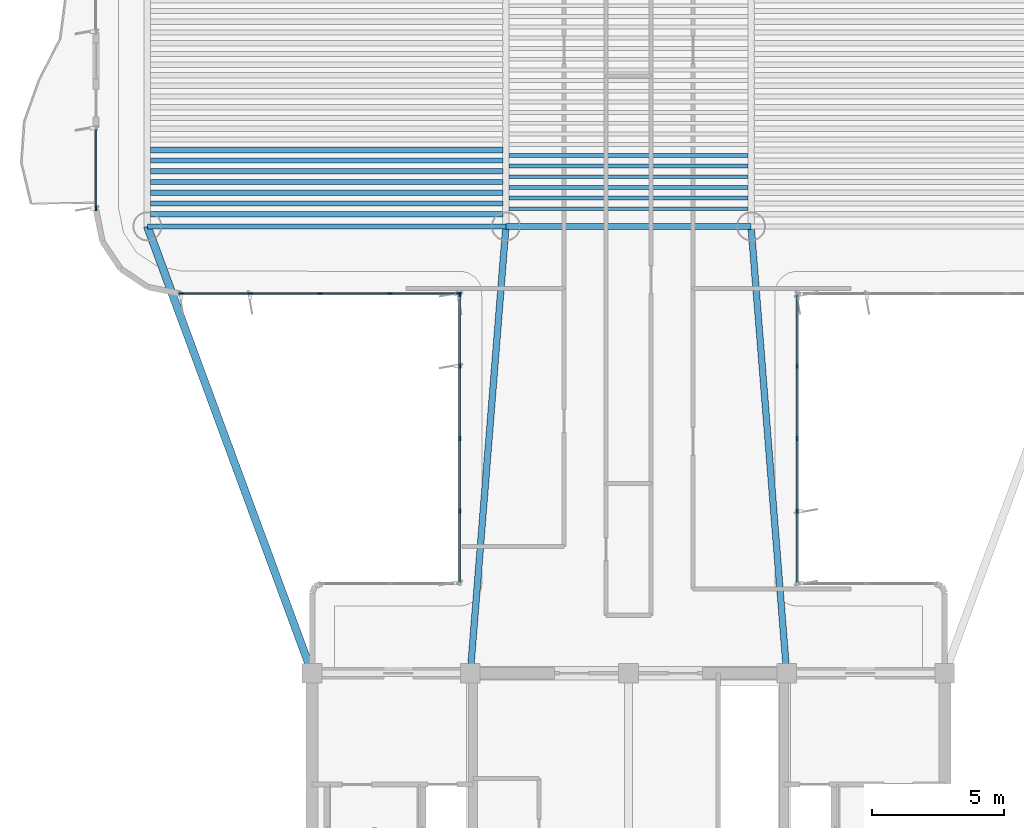
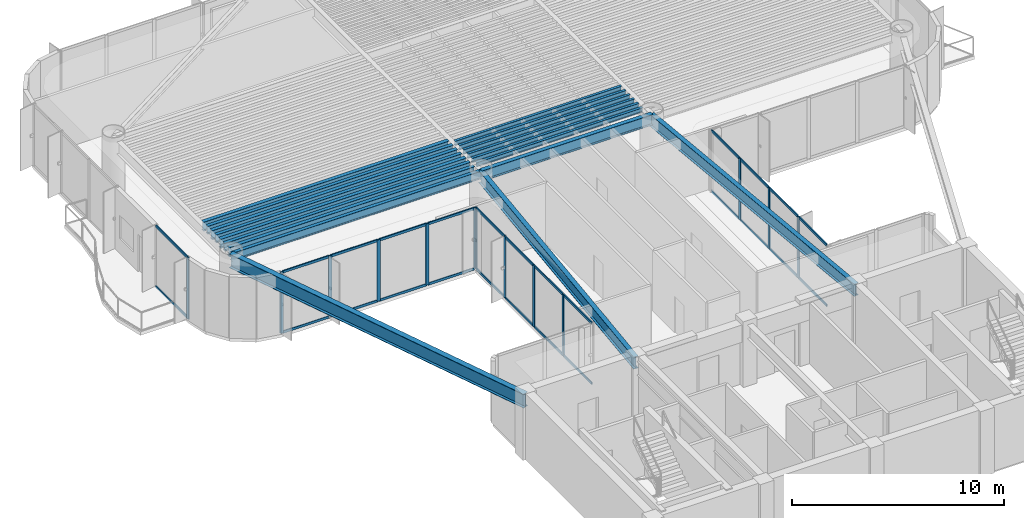
# One storey, part 3 of 13: 39 members, 18 beams, 4 elements without a shape of their own.
"""IFC4 building model written with IfcOpenShell, lengths in metres."""

import ifcopenshell
import ifcopenshell.guid

model = None  # the IFC model being written
_history = None  # IfcOwnerHistory: only IFC2X3 demands one
_inside = {}  # id of a spatial element -> (the spatial element, [elements in it])
_under = {}  # id of a project, library or spatial element -> (it, [spatial elements below it])
_declared = {}  # id of a project -> (the project, [libraries it declares])
_typed = {}  # id of a type object -> (the type object, [elements of that type])
_made_of = {}  # id of a material, layer set ... -> (it, [elements and type objects made of it])


def new_model(schema):
    """Start an empty IFC model of exactly this schema.

    Asked for "IFC4X3", IfcOpenShell would pick the latest addendum, in which some entities
    have other attributes; the version numbers below select the first issue.
    IFC2X3 requires an IfcOwnerHistory on every rooted entity: one is made here for all.
    """
    global model, _history
    if schema == "IFC4X3":
        model = ifcopenshell.file(schema_version=(4, 3, 0, 0))
    else:
        model = ifcopenshell.file(schema=schema)
    _inside.clear()
    _under.clear()
    _declared.clear()
    _typed.clear()
    _made_of.clear()
    _history = None
    if model.schema == "IFC2X3":
        org = make("IfcOrganization", Name="unknown")
        user = make(
            "IfcPersonAndOrganization",
            ThePerson=make("IfcPerson", FamilyName="unknown"),
            TheOrganization=org,
        )
        app = make(
            "IfcApplication",
            ApplicationDeveloper=org,
            Version="unknown",
            ApplicationFullName="unknown",
            ApplicationIdentifier="unknown",
        )
        _history = make(
            "IfcOwnerHistory",
            OwningUser=user,
            OwningApplication=app,
            ChangeAction="ADDED",
            CreationDate=0,
        )
    return model


def make(cls, **values):
    """One entity of the class cls with the attributes given. An attribute that is None is left unset."""
    return model.create_entity(
        cls, **{name: value for name, value in values.items() if value is not None}
    )


def rooted(cls, **values):
    """An entity with a GlobalId (a new one), such as an element, a storey or a relation."""
    return make(cls, GlobalId=ifcopenshell.guid.new(), OwnerHistory=_history, **values)


def si_unit(unit_type, name, prefix=None):
    """IfcSIUnit, for example si_unit("LENGTHUNIT", "METRE", prefix="MILLI")."""
    return make("IfcSIUnit", UnitType=unit_type, Prefix=prefix, Name=name)


def assignment(units):
    """IfcUnitAssignment: the units of a project."""
    return None if units is None else make("IfcUnitAssignment", Units=units)


def point(xyz):
    """IfcCartesianPoint."""
    return None if xyz is None else make("IfcCartesianPoint", Coordinates=xyz)


def direction(xyz):
    """IfcDirection."""
    return None if xyz is None else make("IfcDirection", DirectionRatios=xyz)


def frame(location, z_axis=None, x_axis=None):
    """IfcAxis2Placement3D, a coordinate frame: its origin and axes. An axis left out is left unset."""
    return make(
        "IfcAxis2Placement3D",
        Location=point(location),
        Axis=direction(z_axis),
        RefDirection=direction(x_axis),
    )


def frame_2d(location, x_axis=None):
    """IfcAxis2Placement2D, a coordinate frame in the plane: its origin and x axis."""
    return make(
        "IfcAxis2Placement2D", Location=point(location), RefDirection=direction(x_axis)
    )


def origin():
    """The frame at (0, 0, 0) with its axes left unset."""
    return frame((0.0, 0.0, 0.0))


def origin_2d():
    """The frame at (0, 0) in the plane with its x axis left unset."""
    return frame_2d((0.0, 0.0))


def place(relative_to, where):
    """IfcLocalPlacement: puts the frame where relative to a parent placement (None: the world)."""
    return make(
        "IfcLocalPlacement", PlacementRelTo=relative_to, RelativePlacement=where
    )


def context(
    kind, dimensions, precision=None, world=None, true_north=None, identifier=None
):
    """IfcGeometricRepresentationContext, for example the 3D "Model" context."""
    return make(
        "IfcGeometricRepresentationContext",
        ContextIdentifier=identifier,
        ContextType=kind,
        CoordinateSpaceDimension=dimensions,
        Precision=precision,
        WorldCoordinateSystem=world,
        TrueNorth=true_north,
    )


def subcontext(parent, identifier, kind, view, scale=None):
    """IfcGeometricRepresentationSubContext, for example "Body" below "Model"."""
    return make(
        "IfcGeometricRepresentationSubContext",
        ContextIdentifier=identifier,
        ContextType=kind,
        ParentContext=parent,
        TargetScale=scale,
        TargetView=view,
    )


def project(units=None, contexts=None):
    """IfcProject with its units and contexts."""
    return rooted(
        "IfcProject",
        Name="project",
        RepresentationContexts=contexts,
        UnitsInContext=assignment(units),
    )


def spatial(cls, under=None, at=None, **own):
    """A site, building, storey or space (cls), placed at a placement, below another one or the project."""
    s = rooted(cls, ObjectPlacement=at, **own)
    if under is not None:
        _under.setdefault(under.id(), (under, []))[1].append(s)
    return s


def profile(cls, at=None, kind="AREA", **sizes):
    """A parametric profile (cls). Its sizes go by their IFC names, for example OverallWidth=200.0."""
    return make(cls, ProfileType=kind, Position=at, **sizes)


def rectangle(**sizes):
    """IfcRectangleProfileDef."""
    return profile("IfcRectangleProfileDef", **sizes)


def i_section(**sizes):
    """IfcIShapeProfileDef."""
    return profile("IfcIShapeProfileDef", **sizes)


def extrude(swept, where, along, depth):
    """IfcExtrudedAreaSolid: the profile swept, set in the frame where, extruded along a direction by depth."""
    return make(
        "IfcExtrudedAreaSolid",
        SweptArea=swept,
        Position=where,
        ExtrudedDirection=direction(along),
        Depth=depth,
    )


def shape(context_of_items, identifier, shape_type, items):
    """IfcShapeRepresentation: the items that make up one representation, for example the "Body"."""
    return make(
        "IfcShapeRepresentation",
        ContextOfItems=context_of_items,
        RepresentationIdentifier=identifier,
        RepresentationType=shape_type,
        Items=items,
    )


def source(mapping_origin, context_of_items, identifier, shape_type, items):
    """IfcRepresentationMap: a shape defined once, which mapped items show again and again."""
    return make(
        "IfcRepresentationMap",
        MappingOrigin=mapping_origin,
        MappedRepresentation=shape(context_of_items, identifier, shape_type, items),
    )


def transform(
    local_origin,
    x_axis=None,
    y_axis=None,
    z_axis=None,
    scale=None,
    scale2=None,
    scale3=None,
    uniform=True,
):
    """IfcCartesianTransformationOperator3D, or its non-uniform kind. x_axis, y_axis, z_axis: its Axis1, 2, 3."""
    if uniform:
        return make(
            "IfcCartesianTransformationOperator3D",
            Axis1=direction(x_axis),
            Axis2=direction(y_axis),
            LocalOrigin=point(local_origin),
            Scale=scale,
            Axis3=direction(z_axis),
        )
    return make(
        "IfcCartesianTransformationOperator3DnonUniform",
        Axis1=direction(x_axis),
        Axis2=direction(y_axis),
        LocalOrigin=point(local_origin),
        Scale=scale,
        Axis3=direction(z_axis),
        Scale2=scale2,
        Scale3=scale3,
    )


def mapped(mapping_source, mapping_target):
    """IfcMappedItem: shows the shape of a source again, moved by a transform."""
    return make(
        "IfcMappedItem", MappingSource=mapping_source, MappingTarget=mapping_target
    )


def material(Name=None, Category=None):
    """IfcMaterial."""
    return make("IfcMaterial", Name=Name, Category=Category)


def layer(
    of_material, thickness, ventilated=None, Name=None, Category=None, Priority=None
):
    """IfcMaterialLayer: one layer of a wall or slab, of a material (None: an air gap)."""
    return make(
        "IfcMaterialLayer",
        Material=of_material,
        LayerThickness=thickness,
        IsVentilated=ventilated,
        Name=Name,
        Category=Category,
        Priority=Priority,
    )


def layer_set(layers, Name=None):
    """IfcMaterialLayerSet."""
    return make("IfcMaterialLayerSet", MaterialLayers=layers, LayerSetName=Name)


def material_profile(
    of_material, cross_section, Name=None, Category=None, Priority=None
):
    """IfcMaterialProfile: a cross section and its material."""
    return make(
        "IfcMaterialProfile",
        Name=Name,
        Material=of_material,
        Profile=cross_section,
        Priority=Priority,
        Category=Category,
    )


def profile_set(profiles, Name=None, composite=None):
    """IfcMaterialProfileSet."""
    return make(
        "IfcMaterialProfileSet",
        Name=Name,
        MaterialProfiles=profiles,
        CompositeProfile=composite,
    )


def made_of(thing, what):
    """Note that an element or type object is made of a material, layer set ...; save() writes the relation."""
    if what is not None:
        _made_of.setdefault(what.id(), (what, []))[1].append(thing)
    return thing


def type_object(cls, material=None, **own):
    """A type object (cls), such as IfcWallType, which elements share."""
    return made_of(rooted(cls, **own), material)


def element(
    cls,
    number,
    at=None,
    inside=None,
    cuts=None,
    type_object=None,
    material=None,
    context=None,
    identifier="Body",
    shape_type=None,
    held_by="IfcProductDefinitionShape",
    body=None,
    shapes=None,
    **own,
):
    """One element of the class cls, such as IfcWall. Its Tag is "e" and its number.

    at: its placement. inside: the storey or other place that contains it. cuts: it is an
    opening in that element (IfcRelVoidsElement). A single representation is given by context,
    identifier, shape_type and body (its items); several are given by shapes. held_by: the class
    of the entity that holds the representations. save() writes the other relations.
    """
    e = rooted(cls, Tag="e%d" % number, ObjectPlacement=at, **own)
    if body is not None:
        shapes = [shape(context, identifier, shape_type, body)]
    if shapes is not None:
        e.Representation = make(held_by, Representations=shapes)
    if inside is not None:
        _inside.setdefault(inside.id(), (inside, []))[1].append(e)
    if cuts is not None:
        rooted(
            "IfcRelVoidsElement", RelatingBuildingElement=cuts, RelatedOpeningElement=e
        )
    if type_object is not None:
        _typed.setdefault(type_object.id(), (type_object, []))[1].append(e)
    return made_of(e, material)


def aggregate(whole, parts):
    """IfcRelAggregates: a whole, such as a stair, and the parts it consists of."""
    return rooted("IfcRelAggregates", RelatingObject=whole, RelatedObjects=parts)


def save(model, path):
    """Write the relations noted so far, then the file.

    IfcRelAggregates (storeys below a building ...), IfcRelContainedInSpatialStructure (elements
    in a storey), IfcRelDefinesByType, IfcRelAssociatesMaterial and IfcRelDeclares: one each for
    every whole, place, type object, material and project.
    """
    for whole, parts in _under.values():
        aggregate(whole, parts)
    for where, things in _inside.values():
        rooted(
            "IfcRelContainedInSpatialStructure",
            RelatedElements=things,
            RelatingStructure=where,
        )
    for kind, things in _typed.values():
        rooted("IfcRelDefinesByType", RelatedObjects=things, RelatingType=kind)
    for what, things in _made_of.values():
        rooted("IfcRelAssociatesMaterial", RelatedObjects=things, RelatingMaterial=what)
    for by, libraries in _declared.values():
        rooted("IfcRelDeclares", RelatingContext=by, RelatedDefinitions=libraries)
    model.write(path)


model = new_model("IFC4")

# Units and contexts
model_context = context("Model", 3, precision=1e-05, world=origin(), true_north=direction((0.0, 1.0)))
body_context = subcontext(model_context, "Body", "Model", "MODEL_VIEW")
ifc_project = project(units=[si_unit("LENGTHUNIT", "METRE"), si_unit("AREAUNIT", "SQUARE_METRE"), si_unit("VOLUMEUNIT", "CUBIC_METRE"), si_unit("PLANEANGLEUNIT", "RADIAN"), si_unit("MASSUNIT", "GRAM", prefix="KILO")], contexts=[model_context])

# Site, building, storey
site_placement = place(None, origin())
site = spatial("IfcSite", under=ifc_project, at=site_placement, CompositionType="ELEMENT")
building_placement = place(site_placement, origin())
building = spatial("IfcBuilding", under=site, at=building_placement, Name="Brelvock Crest Care Tower", CompositionType="ELEMENT")
storey_placement = place(building_placement, frame((0.0, 0.0, 186.659912109375)))
storey = spatial("IfcBuildingStorey", under=building, at=storey_placement, Name="L47", CompositionType="ELEMENT", Elevation=186.659912109375)

# Beams
ifc_material_1 = material(Name="Steel Grade 350", Category="steel")
ifc_material_profile_1 = material_profile(ifc_material_1, i_section(OverallWidth=0.22900390625, OverallDepth=0.612060546875, WebThickness=0.011962890625, FlangeThickness=0.01953125, FilletRadius=0.013916015625, at=origin_2d()), Name="610UB125")
ifc_profile_set_1 = profile_set([ifc_material_profile_1], Name="Steel Grade 350")
beam_type_1 = type_object("IfcBeamType", Name="BM-G1", PredefinedType="BEAM", material=ifc_profile_set_1)
shared_shape_1 = source(origin(), body_context, "Body", "SweptSolid", [
    extrude(i_section(OverallWidth=0.22900390625, OverallDepth=0.612060546875, WebThickness=0.011962890625, FlangeThickness=0.01953125, FilletRadius=0.013916015625, at=origin_2d()), origin(), (0.0, 0.0, 1.0), 9.2998046875),
])
beam_1_placement = place(storey_placement, frame((31.35009765625, 34.949951171875, 3.22412109375), z_axis=(1.0, 0.0, 0.0), x_axis=(0.0, 1.0, 0.0)))
element("IfcBeam", 1, at=beam_1_placement, inside=storey, type_object=beam_type_1, Name="BM-TWR-L47-05", PredefinedType="BEAM", context=body_context, shape_type="MappedRepresentation", body=[
    mapped(shared_shape_1, transform((0.0, 0.0, 0.0), x_axis=(1.0, 0.0, 0.0), y_axis=(0.0, 1.0, 0.0), z_axis=(0.0, 0.0, 1.0), scale=1.0)),
])
ifc_material_profile_2 = material_profile(ifc_material_1, i_section(OverallWidth=0.14599609375, OverallDepth=0.256103515625, WebThickness=0.00634765625, FlangeThickness=0.010986328125, FilletRadius=0.0087890625, at=origin_2d()), Name="250UB37.3")
ifc_profile_set_2 = profile_set([ifc_material_profile_2], Name="Steel Grade 350")
beam_type_2 = type_object("IfcBeamType", Name="BM-J3", PredefinedType="JOIST", material=ifc_profile_set_2)
shared_shape_2 = source(origin(), body_context, "Body", "SweptSolid", [
    extrude(i_section(OverallWidth=0.14599609375, OverallDepth=0.256103515625, WebThickness=0.00634765625, FlangeThickness=0.010986328125, FilletRadius=0.0087890625, at=origin_2d()), origin(), (0.0, 0.0, 1.0), 9.06982421875),
])
for number, where, z_axis, x_axis, name in (
    (2, (31.465087890625, 35.618896484375, 3.402099609375), (1.0, 0.0, 0.0), (0.0, 1.0, 0.0), "BM-JH-L47-1"),
    (3, (31.465087890625, 36.02392578125, 3.402099609375), (1.0, 0.0, 0.0), (0.0, 1.0, 0.0), "BM-JH-L47-2"),
    (4, (31.465087890625, 36.42919921875, 3.402099609375), (1.0, 0.0, 0.0), (0.0, 1.0, 0.0), "BM-JH-L47-3"),
    (5, (31.465087890625, 36.834228515625, 3.402099609375), (1.0, 0.0, 0.0), (0.0, 1.0, 0.0), "BM-JH-L47-4"),
    (6, (31.465087890625, 37.239501953125, 3.402099609375), (1.0, 0.0, 0.0), (0.0, 1.0, 0.0), "BM-JH-L47-5"),
    (7, (31.465087890625, 37.64453125, 3.402099609375), (1.0, 0.0, 0.0), (0.0, 1.0, 0.0), "BM-JH-L47-6"),
):
    element("IfcBeam", number, at=place(storey_placement, frame(where, z_axis=z_axis, x_axis=x_axis)), inside=storey, type_object=beam_type_2, Name=name, PredefinedType="JOIST", context=body_context, shape_type="MappedRepresentation", body=[
        mapped(shared_shape_2, transform((0.0, 0.0, 0.0), x_axis=(1.0, 0.0, 0.0), y_axis=(0.0, 1.0, 0.0), z_axis=(0.0, 0.0, 1.0), scale=1.0)),
    ])
ifc_material_profile_3 = material_profile(ifc_material_1, i_section(OverallWidth=0.208984375, OverallDepth=0.532958984375, WebThickness=0.01025390625, FlangeThickness=0.015625, FilletRadius=0.013916015625, at=origin_2d()), Name="530UB92.4")
ifc_profile_set_3 = profile_set([ifc_material_profile_3], Name="Steel Grade 350")
beam_type_3 = type_object("IfcBeamType", Name="BM-G2", PredefinedType="BEAM", material=ifc_profile_set_3)
shared_shape_3 = source(origin(), body_context, "Body", "SweptSolid", [
    extrude(i_section(OverallWidth=0.208984375, OverallDepth=0.532958984375, WebThickness=0.01025390625, FlangeThickness=0.015625, FilletRadius=0.013916015625, at=origin_2d()), origin(), (0.0, 0.0, 1.0), 13.3701171875),
])
for number, where, z_axis, x_axis, name in (
    (8, (17.864990234375, 35.416259765625, 3.263671875), (1.0, 0.0, 0.0), (0.0, 1.0, 0.0), "BM-JW-L47-1"),
    (9, (17.864990234375, 36.2265625, 3.263671875), (1.0, 0.0, 0.0), (0.0, 1.0, 0.0), "BM-JW-L47-3"),
    (10, (17.864990234375, 37.036865234375, 3.263671875), (1.0, 0.0, 0.0), (0.0, 1.0, 0.0), "BM-JW-L47-5"),
    (11, (17.864990234375, 37.84716796875, 3.263671875), (1.0, 0.0, 0.0), (0.0, 1.0, 0.0), "BM-JW-L47-7"),
):
    element("IfcBeam", number, at=place(storey_placement, frame(where, z_axis=z_axis, x_axis=x_axis)), inside=storey, type_object=beam_type_3, Name=name, PredefinedType="BEAM", context=body_context, shape_type="MappedRepresentation", body=[
        mapped(shared_shape_3, transform((0.0, 0.0, 0.0), x_axis=(1.0, 0.0, 0.0), y_axis=(0.0, 1.0, 0.0), z_axis=(0.0, 0.0, 1.0), scale=1.0)),
    ])
ifc_material_profile_4 = material_profile(ifc_material_1, i_section(OverallWidth=0.19091796875, OverallDepth=0.4599609375, WebThickness=0.010009765625, FlangeThickness=0.01611328125, FilletRadius=0.011474609375, at=origin_2d()), Name="460UB82.1")
ifc_profile_set_4 = profile_set([ifc_material_profile_4], Name="Steel Grade 350")
beam_type_4 = type_object("IfcBeamType", Name="BM-G3", PredefinedType="BEAM", material=ifc_profile_set_4)
shared_shape_4 = source(origin(), body_context, "Body", "SweptSolid", [
    extrude(i_section(OverallWidth=0.19091796875, OverallDepth=0.4599609375, WebThickness=0.010009765625, FlangeThickness=0.01611328125, FilletRadius=0.011474609375, at=origin_2d()), origin(), (0.0, 0.0, 1.0), 13.3701171875),
])
for number, where, z_axis, x_axis, name in (
    (12, (17.864990234375, 35.8212890625, 3.300048828125), (1.0, 0.0, 0.0), (0.0, 1.0, 0.0), "BM-JW-L47-2"),
    (13, (17.864990234375, 36.631591796875, 3.300048828125), (1.0, 0.0, 0.0), (0.0, 1.0, 0.0), "BM-JW-L47-4"),
    (14, (17.864990234375, 37.44189453125, 3.300048828125), (1.0, 0.0, 0.0), (0.0, 1.0, 0.0), "BM-JW-L47-6"),
):
    element("IfcBeam", number, at=place(storey_placement, frame(where, z_axis=z_axis, x_axis=x_axis)), inside=storey, type_object=beam_type_4, Name=name, PredefinedType="BEAM", context=body_context, shape_type="MappedRepresentation", body=[
        mapped(shared_shape_4, transform((0.0, 0.0, 0.0), x_axis=(1.0, 0.0, 0.0), y_axis=(0.0, 1.0, 0.0), z_axis=(0.0, 0.0, 1.0), scale=1.0)),
    ])
ifc_material_profile_5 = material_profile(ifc_material_1, i_section(OverallWidth=0.19091796875, OverallDepth=0.4599609375, WebThickness=0.010009765625, FlangeThickness=0.01611328125, FilletRadius=0.011474609375, at=origin_2d()), Name="460UB82.1")
ifc_profile_set_5 = profile_set([ifc_material_profile_5], Name="Steel Grade 350")
beam_type_5 = type_object("IfcBeamType", Name="BM-SP2", PredefinedType="SPANDREL", material=ifc_profile_set_5)
shared_shape_5 = source(origin(), body_context, "Body", "SweptSolid", [
    extrude(i_section(OverallWidth=0.19091796875, OverallDepth=0.4599609375, WebThickness=0.010009765625, FlangeThickness=0.01611328125, FilletRadius=0.011474609375, at=origin_2d()), origin(), (0.0, 0.0, 1.0), 13.60009765625),
])
beam_2_placement = place(storey_placement, frame((17.75, 34.949951171875, 3.300048828125), z_axis=(1.0, 0.0, 0.0), x_axis=(0.0, 1.0, 0.0)))
element("IfcBeam", 15, at=beam_2_placement, inside=storey, type_object=beam_type_5, Name="BM-TWR-L47-03", PredefinedType="SPANDREL", context=body_context, shape_type="MappedRepresentation", body=[
    mapped(shared_shape_5, transform((0.0, 0.0, 0.0), x_axis=(1.0, 0.0, 0.0), y_axis=(0.0, 1.0, 0.0), z_axis=(0.0, 0.0, 1.0), scale=1.0)),
])
ifc_material_profile_6 = material_profile(ifc_material_1, i_section(OverallWidth=0.25, OverallDepth=0.699951171875, WebThickness=0.011962890625, FlangeThickness=0.02001953125, at=origin_2d()), Name="700WB150")
ifc_profile_set_6 = profile_set([ifc_material_profile_6], Name="Steel Grade 350")
beam_type_6 = type_object("IfcBeamType", Name="BM-G4", PredefinedType="BEAM", material=ifc_profile_set_6)
shared_shape_6 = source(origin(), body_context, "Body", "SweptSolid", [
    extrude(i_section(OverallWidth=0.25, OverallDepth=0.699951171875, WebThickness=0.011962890625, FlangeThickness=0.02001953125, at=origin_2d()), origin(), (0.0, 0.0, 1.0), 17.003662109375),
])
for number, where, z_axis, x_axis, name in (
    (16, (30.0, 18.0, 3.18017578125), (0.079400530776, 0.996842793881, 0.0), (-0.996842793881, 0.079400530776, 0.0), "BM-THRW-L47"),
    (17, (42.0, 18.0, 3.18017578125), (-0.079400530776, 0.996842793881, 0.0), (-0.996842793881, -0.079400530776, 0.0), "BM-THRE-L47"),
):
    element("IfcBeam", number, at=place(storey_placement, frame(where, z_axis=z_axis, x_axis=x_axis)), inside=storey, type_object=beam_type_6, Name=name, PredefinedType="BEAM", context=body_context, shape_type="MappedRepresentation", body=[
        mapped(shared_shape_6, transform((0.0, 0.0, 0.0), x_axis=(1.0, 0.0, 0.0), y_axis=(0.0, 1.0, 0.0), z_axis=(0.0, 0.0, 1.0), scale=1.0)),
    ])
ifc_material_profile_7 = material_profile(ifc_material_1, i_section(OverallWidth=0.300048828125, OverallDepth=0.800048828125, WebThickness=0.013916015625, FlangeThickness=0.02197265625, at=origin_2d()), Name="800WB192")
ifc_profile_set_7 = profile_set([ifc_material_profile_7], Name="Steel Grade 350")
beam_type_7 = type_object("IfcBeamType", Name="BM-G5", PredefinedType="BEAM", material=ifc_profile_set_7)
shared_shape_7 = source(origin(), body_context, "Body", "SweptSolid", [
    extrude(i_section(OverallWidth=0.300048828125, OverallDepth=0.800048828125, WebThickness=0.013916015625, FlangeThickness=0.02197265625, at=origin_2d()), origin(), (0.0, 0.0, 1.0), 18.0654296875),
])
beam_3_placement = place(storey_placement, frame((24.0, 18.0, 3.130126953125), z_axis=(-0.345962741309, 0.938248251597, 0.0), x_axis=(-0.938248251597, -0.345962741309, 0.0)))
element("IfcBeam", 18, at=beam_3_placement, inside=storey, type_object=beam_type_7, Name="BM-THRO-W-L47", PredefinedType="BEAM", context=body_context, shape_type="MappedRepresentation", body=[
    mapped(shared_shape_7, transform((0.0, 0.0, 0.0), x_axis=(1.0, 0.0, 0.0), y_axis=(0.0, 1.0, 0.0), z_axis=(0.0, 0.0, 1.0), scale=1.0)),
])

# Curtain wall, members
ifc_material_2 = material(Name="Dark Glass Double Glazed Low-E", Category="glass")
ifc_layer = layer(ifc_material_2, 0.22509765625, Name="CWS-4")
ifc_layer_set = layer_set([ifc_layer], Name="Dark Glass Double Glazed Low-E")
curtain_wall_type = type_object("IfcCurtainWallType", Name="CWS-4", PredefinedType="NOTDEFINED", material=ifc_layer_set)
curtain_wall_1_placement = place(storey_placement, origin())
curtain_wall_1 = element("IfcCurtainWall", 19, at=curtain_wall_1_placement, inside=storey, type_object=curtain_wall_type, Name="L47 Curtain Wall E11", PredefinedType="NOTDEFINED")
ifc_material_3 = material(Name="Aluminium 6063-T6", Category="aluminium")
ifc_material_profile_8 = material_profile(ifc_material_3, rectangle(XDim=0.06005859375, YDim=0.179931640625, at=origin_2d()), Name="ALU60x180")
ifc_profile_set_8 = profile_set([ifc_material_profile_8], Name="Aluminium 6063-T6")
member_type_1 = type_object("IfcMemberType", Name="CWM-2", PredefinedType="MULLION", material=ifc_profile_set_8)
shared_shape_8 = source(origin(), body_context, "Body", "SweptSolid", [
    extrude(rectangle(XDim=0.06005859375, YDim=0.179931640625, at=origin_2d()), origin(), (0.0, 0.0, 1.0), 3.530029296875),
])
member_1_placement = place(storey_placement, frame((29.60009765625, 24.14990234375, 0.0), z_axis=(0.0, 0.0, 1.0), x_axis=(-1.0, 0.0, 0.0)))
member_1 = element("IfcMember", 20, at=member_1_placement, type_object=member_type_1, Name="CW-4 mullion 2", PredefinedType="MULLION", context=body_context, shape_type="MappedRepresentation", body=[
    mapped(shared_shape_8, transform((0.0, 0.0, 0.0), x_axis=(1.0, 0.0, 0.0), y_axis=(0.0, 1.0, 0.0), z_axis=(0.0, 0.0, 1.0), scale=1.0)),
])
member_2_placement = place(storey_placement, frame((29.60009765625, 26.89990234375, 0.0), z_axis=(0.0, 0.0, 1.0), x_axis=(-1.0, 0.0, 0.0)))
member_2 = element("IfcMember", 21, at=member_2_placement, type_object=member_type_1, Name="CW-4 mullion 3", PredefinedType="MULLION", context=body_context, shape_type="MappedRepresentation", body=[
    mapped(shared_shape_8, transform((0.0, 0.0, 0.0), x_axis=(1.0, 0.0, 0.0), y_axis=(0.0, 1.0, 0.0), z_axis=(0.0, 0.0, 1.0), scale=1.0)),
])
member_3_placement = place(storey_placement, frame((29.60009765625, 29.64990234375, 0.0), z_axis=(0.0, 0.0, 1.0), x_axis=(-1.0, 0.0, 0.0)))
member_3 = element("IfcMember", 22, at=member_3_placement, type_object=member_type_1, Name="CW-4 mullion 4", PredefinedType="MULLION", context=body_context, shape_type="MappedRepresentation", body=[
    mapped(shared_shape_8, transform((0.0, 0.0, 0.0), x_axis=(1.0, 0.0, 0.0), y_axis=(0.0, 1.0, 0.0), z_axis=(0.0, 0.0, 1.0), scale=1.0)),
])
member_4_placement = place(storey_placement, frame((29.60009765625, 32.3701171875, 0.0), z_axis=(0.0, 0.0, 1.0), x_axis=(-1.0, 0.0, 0.0)))
member_4 = element("IfcMember", 23, at=member_4_placement, type_object=member_type_1, Name="CW-4 mullion 5", PredefinedType="MULLION", context=body_context, shape_type="MappedRepresentation", body=[
    mapped(shared_shape_8, transform((0.0, 0.0, 0.0), x_axis=(1.0, 0.0, 0.0), y_axis=(0.0, 1.0, 0.0), z_axis=(0.0, 0.0, 1.0), scale=1.0)),
])

curtain_wall_2_placement = place(storey_placement, origin())
curtain_wall_2 = element("IfcCurtainWall", 24, at=curtain_wall_2_placement, inside=storey, type_object=curtain_wall_type, Name="L47 Curtain Wall E12", PredefinedType="NOTDEFINED")
member_5_placement = place(storey_placement, frame((29.570068359375, 32.39990234375, 0.0), z_axis=(0.0, 0.0, 1.0), x_axis=(0.0, -1.0, 0.0)))
member_5 = element("IfcMember", 25, at=member_5_placement, type_object=member_type_1, Name="CW-4 mullion 1", PredefinedType="MULLION", context=body_context, shape_type="MappedRepresentation", body=[
    mapped(shared_shape_8, transform((0.0, 0.0, 0.0), x_axis=(1.0, 0.0, 0.0), y_axis=(0.0, 1.0, 0.0), z_axis=(0.0, 0.0, 1.0), scale=1.0)),
])
member_6_placement = place(storey_placement, frame((26.949951171875, 32.39990234375, 0.0), z_axis=(0.0, 0.0, 1.0), x_axis=(0.0, -1.0, 0.0)))
member_6 = element("IfcMember", 26, at=member_6_placement, type_object=member_type_1, Name="CW-4 mullion 2", PredefinedType="MULLION", context=body_context, shape_type="MappedRepresentation", body=[
    mapped(shared_shape_8, transform((0.0, 0.0, 0.0), x_axis=(1.0, 0.0, 0.0), y_axis=(0.0, 1.0, 0.0), z_axis=(0.0, 0.0, 1.0), scale=1.0)),
])
member_7_placement = place(storey_placement, frame((24.300048828125, 32.39990234375, 0.0), z_axis=(0.0, 0.0, 1.0), x_axis=(0.0, -1.0, 0.0)))
member_7 = element("IfcMember", 27, at=member_7_placement, type_object=member_type_1, Name="CW-4 mullion 3", PredefinedType="MULLION", context=body_context, shape_type="MappedRepresentation", body=[
    mapped(shared_shape_8, transform((0.0, 0.0, 0.0), x_axis=(1.0, 0.0, 0.0), y_axis=(0.0, 1.0, 0.0), z_axis=(0.0, 0.0, 1.0), scale=1.0)),
])
member_8_placement = place(storey_placement, frame((21.64990234375, 32.39990234375, 0.0), z_axis=(0.0, 0.0, 1.0), x_axis=(0.0, -1.0, 0.0)))
member_8 = element("IfcMember", 28, at=member_8_placement, type_object=member_type_1, Name="CW-4 mullion 4", PredefinedType="MULLION", context=body_context, shape_type="MappedRepresentation", body=[
    mapped(shared_shape_8, transform((0.0, 0.0, 0.0), x_axis=(1.0, 0.0, 0.0), y_axis=(0.0, 1.0, 0.0), z_axis=(0.0, 0.0, 1.0), scale=1.0)),
])
member_9_placement = place(storey_placement, frame((19.030029296875, 32.39990234375, 0.0), z_axis=(0.0, 0.0, 1.0), x_axis=(0.0, -1.0, 0.0)))
member_9 = element("IfcMember", 29, at=member_9_placement, type_object=member_type_1, Name="CW-4 mullion 5", PredefinedType="MULLION", context=body_context, shape_type="MappedRepresentation", body=[
    mapped(shared_shape_8, transform((0.0, 0.0, 0.0), x_axis=(1.0, 0.0, 0.0), y_axis=(0.0, 1.0, 0.0), z_axis=(0.0, 0.0, 1.0), scale=1.0)),
])

# Curtain wall, member
curtain_wall_3_placement = place(storey_placement, origin())
curtain_wall_3 = element("IfcCurtainWall", 30, at=curtain_wall_3_placement, inside=storey, type_object=curtain_wall_type, Name="L47 Curtain Wall E17A", PredefinedType="NOTDEFINED")
member_10_placement = place(storey_placement, frame((15.800048828125, 35.6298828125, 0.0), z_axis=(0.0, 0.0, 1.0), x_axis=(-1.0, 0.0, 0.0)))
member_10 = element("IfcMember", 31, at=member_10_placement, type_object=member_type_1, Name="CW-4 mullion 1", PredefinedType="MULLION", context=body_context, shape_type="MappedRepresentation", body=[
    mapped(shared_shape_8, transform((0.0, 0.0, 0.0), x_axis=(1.0, 0.0, 0.0), y_axis=(0.0, 1.0, 0.0), z_axis=(0.0, 0.0, 1.0), scale=1.0)),
])

# Curtain wall, members
curtain_wall_4_placement = place(storey_placement, origin())
curtain_wall_4 = element("IfcCurtainWall", 32, at=curtain_wall_4_placement, inside=storey, type_object=curtain_wall_type, Name="L47 Curtain Wall E45", PredefinedType="NOTDEFINED")
member_11_placement = place(storey_placement, frame((42.39990234375, 29.64990234375, 0.0), z_axis=(0.0, 0.0, 1.0), x_axis=(1.0, 0.0, 0.0)))
member_11 = element("IfcMember", 33, at=member_11_placement, type_object=member_type_1, Name="CW-4 mullion 2", PredefinedType="MULLION", context=body_context, shape_type="MappedRepresentation", body=[
    mapped(shared_shape_8, transform((0.0, 0.0, 0.0), x_axis=(1.0, 0.0, 0.0), y_axis=(0.0, 1.0, 0.0), z_axis=(0.0, 0.0, 1.0), scale=1.0)),
])
member_12_placement = place(storey_placement, frame((42.39990234375, 26.89990234375, 0.0), z_axis=(0.0, 0.0, 1.0), x_axis=(1.0, 0.0, 0.0)))
member_12 = element("IfcMember", 34, at=member_12_placement, type_object=member_type_1, Name="CW-4 mullion 3", PredefinedType="MULLION", context=body_context, shape_type="MappedRepresentation", body=[
    mapped(shared_shape_8, transform((0.0, 0.0, 0.0), x_axis=(1.0, 0.0, 0.0), y_axis=(0.0, 1.0, 0.0), z_axis=(0.0, 0.0, 1.0), scale=1.0)),
])
member_13_placement = place(storey_placement, frame((42.39990234375, 24.14990234375, 0.0), z_axis=(0.0, 0.0, 1.0), x_axis=(1.0, 0.0, 0.0)))
member_13 = element("IfcMember", 35, at=member_13_placement, type_object=member_type_1, Name="CW-4 mullion 4", PredefinedType="MULLION", context=body_context, shape_type="MappedRepresentation", body=[
    mapped(shared_shape_8, transform((0.0, 0.0, 0.0), x_axis=(1.0, 0.0, 0.0), y_axis=(0.0, 1.0, 0.0), z_axis=(0.0, 0.0, 1.0), scale=1.0)),
])

# Member
ifc_material_profile_9 = material_profile(ifc_material_3, rectangle(XDim=0.06005859375, YDim=0.139892578125, at=origin_2d()), Name="ALU60x140")
ifc_profile_set_9 = profile_set([ifc_material_profile_9], Name="Aluminium 6063-T6")
member_type_2 = type_object("IfcMemberType", Name="CWT-2", PredefinedType="USERDEFINED", material=ifc_profile_set_9)
shared_shape_9 = source(origin(), body_context, "Body", "SweptSolid", [
    extrude(rectangle(XDim=0.06005859375, YDim=0.139892578125, at=origin_2d()), origin(), (0.0, 0.0, 1.0), 2.66015625),
])
member_14_placement = place(storey_placement, frame((29.60009765625, 21.4599609375, 0.030029296875), z_axis=(0.0, 1.0, 0.0), x_axis=(-1.0, 0.0, 0.0)))
member_14 = element("IfcMember", 36, at=member_14_placement, type_object=member_type_2, Name="CW-4 transom 1.1", ObjectType="TRANSOM", PredefinedType="USERDEFINED", context=body_context, shape_type="MappedRepresentation", body=[
    mapped(shared_shape_9, transform((0.0, 0.0, 0.0), x_axis=(1.0, 0.0, 0.0), y_axis=(0.0, 1.0, 0.0), z_axis=(0.0, 0.0, 1.0), scale=1.0)),
])

member_15_placement = place(storey_placement, frame((29.60009765625, 21.4599609375, 3.5), z_axis=(0.0, 1.0, 0.0), x_axis=(-1.0, 0.0, 0.0)))
member_15 = element("IfcMember", 37, at=member_15_placement, type_object=member_type_2, Name="CW-4 transom 1.2", ObjectType="TRANSOM", PredefinedType="USERDEFINED", context=body_context, shape_type="MappedRepresentation", body=[
    mapped(shared_shape_9, transform((0.0, 0.0, 0.0), x_axis=(1.0, 0.0, 0.0), y_axis=(0.0, 1.0, 0.0), z_axis=(0.0, 0.0, 1.0), scale=1.0)),
])

member_16_placement = place(storey_placement, frame((29.60009765625, 29.679931640625, 0.030029296875), z_axis=(0.0, 1.0, 0.0), x_axis=(-1.0, 0.0, 0.0)))
member_16 = element("IfcMember", 38, at=member_16_placement, type_object=member_type_2, Name="CW-4 transom 4.1", ObjectType="TRANSOM", PredefinedType="USERDEFINED", context=body_context, shape_type="MappedRepresentation", body=[
    mapped(shared_shape_9, transform((0.0, 0.0, 0.0), x_axis=(1.0, 0.0, 0.0), y_axis=(0.0, 1.0, 0.0), z_axis=(0.0, 0.0, 1.0), scale=1.0)),
])

member_17_placement = place(storey_placement, frame((29.60009765625, 29.679931640625, 3.5), z_axis=(0.0, 1.0, 0.0), x_axis=(-1.0, 0.0, 0.0)))
member_17 = element("IfcMember", 39, at=member_17_placement, type_object=member_type_2, Name="CW-4 transom 4.2", ObjectType="TRANSOM", PredefinedType="USERDEFINED", context=body_context, shape_type="MappedRepresentation", body=[
    mapped(shared_shape_9, transform((0.0, 0.0, 0.0), x_axis=(1.0, 0.0, 0.0), y_axis=(0.0, 1.0, 0.0), z_axis=(0.0, 0.0, 1.0), scale=1.0)),
])

member_18_placement = place(storey_placement, frame((42.39990234375, 32.340087890625, 0.030029296875), z_axis=(0.0, -1.0, 0.0), x_axis=(1.0, 0.0, 0.0)))
member_18 = element("IfcMember", 40, at=member_18_placement, type_object=member_type_2, Name="CW-4 transom 1.1", ObjectType="TRANSOM", PredefinedType="USERDEFINED", context=body_context, shape_type="MappedRepresentation", body=[
    mapped(shared_shape_9, transform((0.0, 0.0, 0.0), x_axis=(1.0, 0.0, 0.0), y_axis=(0.0, 1.0, 0.0), z_axis=(0.0, 0.0, 1.0), scale=1.0)),
])

member_19_placement = place(storey_placement, frame((42.39990234375, 32.340087890625, 3.5), z_axis=(0.0, -1.0, 0.0), x_axis=(1.0, 0.0, 0.0)))
member_19 = element("IfcMember", 41, at=member_19_placement, type_object=member_type_2, Name="CW-4 transom 1.2", ObjectType="TRANSOM", PredefinedType="USERDEFINED", context=body_context, shape_type="MappedRepresentation", body=[
    mapped(shared_shape_9, transform((0.0, 0.0, 0.0), x_axis=(1.0, 0.0, 0.0), y_axis=(0.0, 1.0, 0.0), z_axis=(0.0, 0.0, 1.0), scale=1.0)),
])

member_20_placement = place(storey_placement, frame((42.39990234375, 24.1201171875, 0.030029296875), z_axis=(0.0, -1.0, 0.0), x_axis=(1.0, 0.0, 0.0)))
member_20 = element("IfcMember", 42, at=member_20_placement, type_object=member_type_2, Name="CW-4 transom 4.1", ObjectType="TRANSOM", PredefinedType="USERDEFINED", context=body_context, shape_type="MappedRepresentation", body=[
    mapped(shared_shape_9, transform((0.0, 0.0, 0.0), x_axis=(1.0, 0.0, 0.0), y_axis=(0.0, 1.0, 0.0), z_axis=(0.0, 0.0, 1.0), scale=1.0)),
])

member_21_placement = place(storey_placement, frame((42.39990234375, 24.1201171875, 3.5), z_axis=(0.0, -1.0, 0.0), x_axis=(1.0, 0.0, 0.0)))
member_21 = element("IfcMember", 43, at=member_21_placement, type_object=member_type_2, Name="CW-4 transom 4.2", ObjectType="TRANSOM", PredefinedType="USERDEFINED", context=body_context, shape_type="MappedRepresentation", body=[
    mapped(shared_shape_9, transform((0.0, 0.0, 0.0), x_axis=(1.0, 0.0, 0.0), y_axis=(0.0, 1.0, 0.0), z_axis=(0.0, 0.0, 1.0), scale=1.0)),
])

shared_shape_10 = source(origin(), body_context, "Body", "SweptSolid", [
    extrude(rectangle(XDim=0.06005859375, YDim=0.139892578125, at=origin_2d()), origin(), (0.0, 0.0, 1.0), 2.690185546875),
])
member_22_placement = place(storey_placement, frame((29.60009765625, 24.179931640625, 0.030029296875), z_axis=(0.0, 1.0, 0.0), x_axis=(-1.0, 0.0, 0.0)))
member_22 = element("IfcMember", 44, at=member_22_placement, type_object=member_type_2, Name="CW-4 transom 2.1", ObjectType="TRANSOM", PredefinedType="USERDEFINED", context=body_context, shape_type="MappedRepresentation", body=[
    mapped(shared_shape_10, transform((0.0, 0.0, 0.0), x_axis=(1.0, 0.0, 0.0), y_axis=(0.0, 1.0, 0.0), z_axis=(0.0, 0.0, 1.0), scale=1.0)),
])

member_23_placement = place(storey_placement, frame((29.60009765625, 24.179931640625, 3.5), z_axis=(0.0, 1.0, 0.0), x_axis=(-1.0, 0.0, 0.0)))
member_23 = element("IfcMember", 45, at=member_23_placement, type_object=member_type_2, Name="CW-4 transom 2.2", ObjectType="TRANSOM", PredefinedType="USERDEFINED", context=body_context, shape_type="MappedRepresentation", body=[
    mapped(shared_shape_10, transform((0.0, 0.0, 0.0), x_axis=(1.0, 0.0, 0.0), y_axis=(0.0, 1.0, 0.0), z_axis=(0.0, 0.0, 1.0), scale=1.0)),
])

member_24_placement = place(storey_placement, frame((29.60009765625, 26.929931640625, 0.030029296875), z_axis=(0.0, 1.0, 0.0), x_axis=(-1.0, 0.0, 0.0)))
member_24 = element("IfcMember", 46, at=member_24_placement, type_object=member_type_2, Name="CW-4 transom 3.1", ObjectType="TRANSOM", PredefinedType="USERDEFINED", context=body_context, shape_type="MappedRepresentation", body=[
    mapped(shared_shape_10, transform((0.0, 0.0, 0.0), x_axis=(1.0, 0.0, 0.0), y_axis=(0.0, 1.0, 0.0), z_axis=(0.0, 0.0, 1.0), scale=1.0)),
])

member_25_placement = place(storey_placement, frame((29.60009765625, 26.929931640625, 3.5), z_axis=(0.0, 1.0, 0.0), x_axis=(-1.0, 0.0, 0.0)))
member_25 = element("IfcMember", 47, at=member_25_placement, type_object=member_type_2, Name="CW-4 transom 3.2", ObjectType="TRANSOM", PredefinedType="USERDEFINED", context=body_context, shape_type="MappedRepresentation", body=[
    mapped(shared_shape_10, transform((0.0, 0.0, 0.0), x_axis=(1.0, 0.0, 0.0), y_axis=(0.0, 1.0, 0.0), z_axis=(0.0, 0.0, 1.0), scale=1.0)),
])

aggregate(curtain_wall_1, [member_1, member_2, member_3, member_4, member_14, member_15, member_22, member_23, member_24, member_25, member_16, member_17])

member_26_placement = place(storey_placement, frame((42.39990234375, 29.6201171875, 0.030029296875), z_axis=(0.0, -1.0, 0.0), x_axis=(1.0, 0.0, 0.0)))
member_26 = element("IfcMember", 48, at=member_26_placement, type_object=member_type_2, Name="CW-4 transom 2.1", ObjectType="TRANSOM", PredefinedType="USERDEFINED", context=body_context, shape_type="MappedRepresentation", body=[
    mapped(shared_shape_10, transform((0.0, 0.0, 0.0), x_axis=(1.0, 0.0, 0.0), y_axis=(0.0, 1.0, 0.0), z_axis=(0.0, 0.0, 1.0), scale=1.0)),
])

member_27_placement = place(storey_placement, frame((42.39990234375, 29.6201171875, 3.5), z_axis=(0.0, -1.0, 0.0), x_axis=(1.0, 0.0, 0.0)))
member_27 = element("IfcMember", 49, at=member_27_placement, type_object=member_type_2, Name="CW-4 transom 2.2", ObjectType="TRANSOM", PredefinedType="USERDEFINED", context=body_context, shape_type="MappedRepresentation", body=[
    mapped(shared_shape_10, transform((0.0, 0.0, 0.0), x_axis=(1.0, 0.0, 0.0), y_axis=(0.0, 1.0, 0.0), z_axis=(0.0, 0.0, 1.0), scale=1.0)),
])

member_28_placement = place(storey_placement, frame((42.39990234375, 26.8701171875, 0.030029296875), z_axis=(0.0, -1.0, 0.0), x_axis=(1.0, 0.0, 0.0)))
member_28 = element("IfcMember", 50, at=member_28_placement, type_object=member_type_2, Name="CW-4 transom 3.1", ObjectType="TRANSOM", PredefinedType="USERDEFINED", context=body_context, shape_type="MappedRepresentation", body=[
    mapped(shared_shape_10, transform((0.0, 0.0, 0.0), x_axis=(1.0, 0.0, 0.0), y_axis=(0.0, 1.0, 0.0), z_axis=(0.0, 0.0, 1.0), scale=1.0)),
])

member_29_placement = place(storey_placement, frame((42.39990234375, 26.8701171875, 3.5), z_axis=(0.0, -1.0, 0.0), x_axis=(1.0, 0.0, 0.0)))
member_29 = element("IfcMember", 51, at=member_29_placement, type_object=member_type_2, Name="CW-4 transom 3.2", ObjectType="TRANSOM", PredefinedType="USERDEFINED", context=body_context, shape_type="MappedRepresentation", body=[
    mapped(shared_shape_10, transform((0.0, 0.0, 0.0), x_axis=(1.0, 0.0, 0.0), y_axis=(0.0, 1.0, 0.0), z_axis=(0.0, 0.0, 1.0), scale=1.0)),
])

aggregate(curtain_wall_4, [member_11, member_12, member_13, member_18, member_19, member_26, member_27, member_28, member_29, member_20, member_21])

shared_shape_11 = source(origin(), body_context, "Body", "SweptSolid", [
    extrude(rectangle(XDim=0.06005859375, YDim=0.139892578125, at=origin_2d()), origin(), (0.0, 0.0, 1.0), 2.56005859375),
])
member_30_placement = place(storey_placement, frame((29.5400390625, 32.39990234375, 0.030029296875), z_axis=(-1.0, 0.0, 0.0), x_axis=(0.0, -1.0, 0.0)))
member_30 = element("IfcMember", 52, at=member_30_placement, type_object=member_type_2, Name="CW-4 transom 1.1", ObjectType="TRANSOM", PredefinedType="USERDEFINED", context=body_context, shape_type="MappedRepresentation", body=[
    mapped(shared_shape_11, transform((0.0, 0.0, 0.0), x_axis=(1.0, 0.0, 0.0), y_axis=(0.0, 1.0, 0.0), z_axis=(0.0, 0.0, 1.0), scale=1.0)),
])

member_31_placement = place(storey_placement, frame((29.5400390625, 32.39990234375, 3.5), z_axis=(-1.0, 0.0, 0.0), x_axis=(0.0, -1.0, 0.0)))
member_31 = element("IfcMember", 53, at=member_31_placement, type_object=member_type_2, Name="CW-4 transom 1.2", ObjectType="TRANSOM", PredefinedType="USERDEFINED", context=body_context, shape_type="MappedRepresentation", body=[
    mapped(shared_shape_11, transform((0.0, 0.0, 0.0), x_axis=(1.0, 0.0, 0.0), y_axis=(0.0, 1.0, 0.0), z_axis=(0.0, 0.0, 1.0), scale=1.0)),
])

member_32_placement = place(storey_placement, frame((21.6201171875, 32.39990234375, 0.030029296875), z_axis=(-1.0, 0.0, 0.0), x_axis=(0.0, -1.0, 0.0)))
member_32 = element("IfcMember", 54, at=member_32_placement, type_object=member_type_2, Name="CW-4 transom 4.1", ObjectType="TRANSOM", PredefinedType="USERDEFINED", context=body_context, shape_type="MappedRepresentation", body=[
    mapped(shared_shape_11, transform((0.0, 0.0, 0.0), x_axis=(1.0, 0.0, 0.0), y_axis=(0.0, 1.0, 0.0), z_axis=(0.0, 0.0, 1.0), scale=1.0)),
])

member_33_placement = place(storey_placement, frame((21.6201171875, 32.39990234375, 3.5), z_axis=(-1.0, 0.0, 0.0), x_axis=(0.0, -1.0, 0.0)))
member_33 = element("IfcMember", 55, at=member_33_placement, type_object=member_type_2, Name="CW-4 transom 4.2", ObjectType="TRANSOM", PredefinedType="USERDEFINED", context=body_context, shape_type="MappedRepresentation", body=[
    mapped(shared_shape_11, transform((0.0, 0.0, 0.0), x_axis=(1.0, 0.0, 0.0), y_axis=(0.0, 1.0, 0.0), z_axis=(0.0, 0.0, 1.0), scale=1.0)),
])

shared_shape_12 = source(origin(), body_context, "Body", "SweptSolid", [
    extrude(rectangle(XDim=0.06005859375, YDim=0.139892578125, at=origin_2d()), origin(), (0.0, 0.0, 1.0), 2.58984375),
])
member_34_placement = place(storey_placement, frame((26.919921875, 32.39990234375, 0.030029296875), z_axis=(-1.0, 0.0, 0.0), x_axis=(0.0, -1.0, 0.0)))
member_34 = element("IfcMember", 56, at=member_34_placement, type_object=member_type_2, Name="CW-4 transom 2.1", ObjectType="TRANSOM", PredefinedType="USERDEFINED", context=body_context, shape_type="MappedRepresentation", body=[
    mapped(shared_shape_12, transform((0.0, 0.0, 0.0), x_axis=(1.0, 0.0, 0.0), y_axis=(0.0, 1.0, 0.0), z_axis=(0.0, 0.0, 1.0), scale=1.0)),
])

member_35_placement = place(storey_placement, frame((26.919921875, 32.39990234375, 3.5), z_axis=(-1.0, 0.0, 0.0), x_axis=(0.0, -1.0, 0.0)))
member_35 = element("IfcMember", 57, at=member_35_placement, type_object=member_type_2, Name="CW-4 transom 2.2", ObjectType="TRANSOM", PredefinedType="USERDEFINED", context=body_context, shape_type="MappedRepresentation", body=[
    mapped(shared_shape_12, transform((0.0, 0.0, 0.0), x_axis=(1.0, 0.0, 0.0), y_axis=(0.0, 1.0, 0.0), z_axis=(0.0, 0.0, 1.0), scale=1.0)),
])

shared_shape_13 = source(origin(), body_context, "Body", "SweptSolid", [
    extrude(rectangle(XDim=0.06005859375, YDim=0.139892578125, at=origin_2d()), origin(), (0.0, 0.0, 1.0), 2.590087890625),
])
member_36_placement = place(storey_placement, frame((24.27001953125, 32.39990234375, 0.030029296875), z_axis=(-1.0, 0.0, 0.0), x_axis=(0.0, -1.0, 0.0)))
member_36 = element("IfcMember", 58, at=member_36_placement, type_object=member_type_2, Name="CW-4 transom 3.1", ObjectType="TRANSOM", PredefinedType="USERDEFINED", context=body_context, shape_type="MappedRepresentation", body=[
    mapped(shared_shape_13, transform((0.0, 0.0, 0.0), x_axis=(1.0, 0.0, 0.0), y_axis=(0.0, 1.0, 0.0), z_axis=(0.0, 0.0, 1.0), scale=1.0)),
])

member_37_placement = place(storey_placement, frame((24.27001953125, 32.39990234375, 3.5), z_axis=(-1.0, 0.0, 0.0), x_axis=(0.0, -1.0, 0.0)))
member_37 = element("IfcMember", 59, at=member_37_placement, type_object=member_type_2, Name="CW-4 transom 3.2", ObjectType="TRANSOM", PredefinedType="USERDEFINED", context=body_context, shape_type="MappedRepresentation", body=[
    mapped(shared_shape_13, transform((0.0, 0.0, 0.0), x_axis=(1.0, 0.0, 0.0), y_axis=(0.0, 1.0, 0.0), z_axis=(0.0, 0.0, 1.0), scale=1.0)),
])

aggregate(curtain_wall_2, [member_5, member_6, member_7, member_8, member_9, member_30, member_31, member_34, member_35, member_36, member_37, member_32, member_33])

shared_shape_14 = source(origin(), body_context, "Body", "SweptSolid", [
    extrude(rectangle(XDim=0.06005859375, YDim=0.139892578125, at=origin_2d()), origin(), (0.0, 0.0, 1.0), 2.97998046875),
])
member_38_placement = place(storey_placement, frame((15.800048828125, 35.659912109375, 0.030029296875), z_axis=(0.0, 1.0, 0.0), x_axis=(-1.0, 0.0, 0.0)))
member_38 = element("IfcMember", 60, at=member_38_placement, type_object=member_type_2, Name="CW-4 transom 1.1", ObjectType="TRANSOM", PredefinedType="USERDEFINED", context=body_context, shape_type="MappedRepresentation", body=[
    mapped(shared_shape_14, transform((0.0, 0.0, 0.0), x_axis=(1.0, 0.0, 0.0), y_axis=(0.0, 1.0, 0.0), z_axis=(0.0, 0.0, 1.0), scale=1.0)),
])

member_39_placement = place(storey_placement, frame((15.800048828125, 35.659912109375, 3.5), z_axis=(0.0, 1.0, 0.0), x_axis=(-1.0, 0.0, 0.0)))
member_39 = element("IfcMember", 61, at=member_39_placement, type_object=member_type_2, Name="CW-4 transom 1.2", ObjectType="TRANSOM", PredefinedType="USERDEFINED", context=body_context, shape_type="MappedRepresentation", body=[
    mapped(shared_shape_14, transform((0.0, 0.0, 0.0), x_axis=(1.0, 0.0, 0.0), y_axis=(0.0, 1.0, 0.0), z_axis=(0.0, 0.0, 1.0), scale=1.0)),
])

aggregate(curtain_wall_3, [member_10, member_38, member_39])

save(model, "model.ifc")
